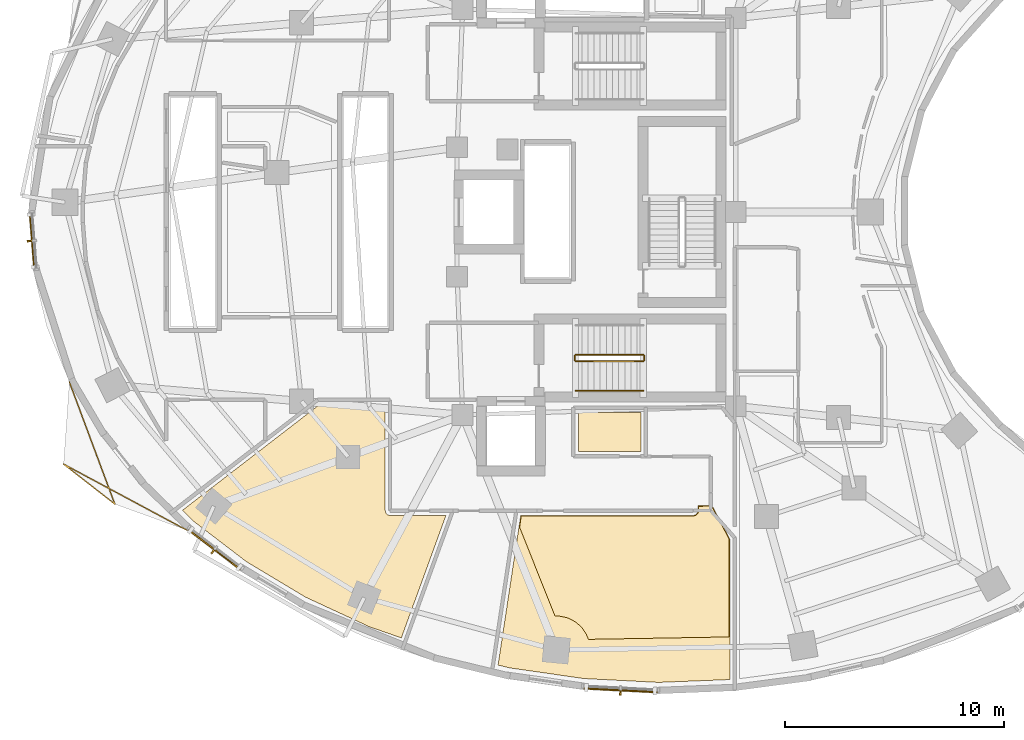
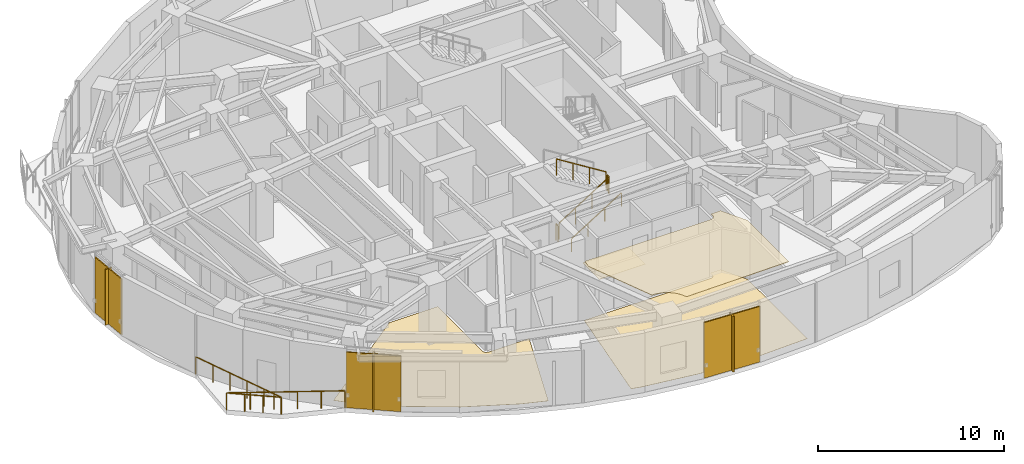
# One storey, part 13 of 15: 6 railings, 6 shading devices, 4 coverings.
"""IFC4 building model written with IfcOpenShell, lengths in metres."""

import ifcopenshell
import ifcopenshell.guid

model = None  # the IFC model being written
_history = None  # IfcOwnerHistory: only IFC2X3 demands one
_inside = {}  # id of a spatial element -> (the spatial element, [elements in it])
_under = {}  # id of a project, library or spatial element -> (it, [spatial elements below it])
_declared = {}  # id of a project -> (the project, [libraries it declares])
_typed = {}  # id of a type object -> (the type object, [elements of that type])
_made_of = {}  # id of a material, layer set ... -> (it, [elements and type objects made of it])


def new_model(schema):
    """Start an empty IFC model of exactly this schema.

    Asked for "IFC4X3", IfcOpenShell would pick the latest addendum, in which some entities
    have other attributes; the version numbers below select the first issue.
    IFC2X3 requires an IfcOwnerHistory on every rooted entity: one is made here for all.
    """
    global model, _history
    if schema == "IFC4X3":
        model = ifcopenshell.file(schema_version=(4, 3, 0, 0))
    else:
        model = ifcopenshell.file(schema=schema)
    _inside.clear()
    _under.clear()
    _declared.clear()
    _typed.clear()
    _made_of.clear()
    _history = None
    if model.schema == "IFC2X3":
        org = make("IfcOrganization", Name="unknown")
        user = make(
            "IfcPersonAndOrganization",
            ThePerson=make("IfcPerson", FamilyName="unknown"),
            TheOrganization=org,
        )
        app = make(
            "IfcApplication",
            ApplicationDeveloper=org,
            Version="unknown",
            ApplicationFullName="unknown",
            ApplicationIdentifier="unknown",
        )
        _history = make(
            "IfcOwnerHistory",
            OwningUser=user,
            OwningApplication=app,
            ChangeAction="ADDED",
            CreationDate=0,
        )
    return model


def make(cls, **values):
    """One entity of the class cls with the attributes given. An attribute that is None is left unset."""
    return model.create_entity(
        cls, **{name: value for name, value in values.items() if value is not None}
    )


def rooted(cls, **values):
    """An entity with a GlobalId (a new one), such as an element, a storey or a relation."""
    return make(cls, GlobalId=ifcopenshell.guid.new(), OwnerHistory=_history, **values)


def si_unit(unit_type, name, prefix=None):
    """IfcSIUnit, for example si_unit("LENGTHUNIT", "METRE", prefix="MILLI")."""
    return make("IfcSIUnit", UnitType=unit_type, Prefix=prefix, Name=name)


def assignment(units):
    """IfcUnitAssignment: the units of a project."""
    return None if units is None else make("IfcUnitAssignment", Units=units)


def point(xyz):
    """IfcCartesianPoint."""
    return None if xyz is None else make("IfcCartesianPoint", Coordinates=xyz)


def direction(xyz):
    """IfcDirection."""
    return None if xyz is None else make("IfcDirection", DirectionRatios=xyz)


def frame(location, z_axis=None, x_axis=None):
    """IfcAxis2Placement3D, a coordinate frame: its origin and axes. An axis left out is left unset."""
    return make(
        "IfcAxis2Placement3D",
        Location=point(location),
        Axis=direction(z_axis),
        RefDirection=direction(x_axis),
    )


def frame_2d(location, x_axis=None):
    """IfcAxis2Placement2D, a coordinate frame in the plane: its origin and x axis."""
    return make(
        "IfcAxis2Placement2D", Location=point(location), RefDirection=direction(x_axis)
    )


def origin():
    """The frame at (0, 0, 0) with its axes left unset."""
    return frame((0.0, 0.0, 0.0))


def origin_2d():
    """The frame at (0, 0) in the plane with its x axis left unset."""
    return frame_2d((0.0, 0.0))


def place(relative_to, where):
    """IfcLocalPlacement: puts the frame where relative to a parent placement (None: the world)."""
    return make(
        "IfcLocalPlacement", PlacementRelTo=relative_to, RelativePlacement=where
    )


def context(
    kind, dimensions, precision=None, world=None, true_north=None, identifier=None
):
    """IfcGeometricRepresentationContext, for example the 3D "Model" context."""
    return make(
        "IfcGeometricRepresentationContext",
        ContextIdentifier=identifier,
        ContextType=kind,
        CoordinateSpaceDimension=dimensions,
        Precision=precision,
        WorldCoordinateSystem=world,
        TrueNorth=true_north,
    )


def subcontext(parent, identifier, kind, view, scale=None):
    """IfcGeometricRepresentationSubContext, for example "Body" below "Model"."""
    return make(
        "IfcGeometricRepresentationSubContext",
        ContextIdentifier=identifier,
        ContextType=kind,
        ParentContext=parent,
        TargetScale=scale,
        TargetView=view,
    )


def project(units=None, contexts=None):
    """IfcProject with its units and contexts."""
    return rooted(
        "IfcProject",
        Name="project",
        RepresentationContexts=contexts,
        UnitsInContext=assignment(units),
    )


def spatial(cls, under=None, at=None, **own):
    """A site, building, storey or space (cls), placed at a placement, below another one or the project."""
    s = rooted(cls, ObjectPlacement=at, **own)
    if under is not None:
        _under.setdefault(under.id(), (under, []))[1].append(s)
    return s


def polyline(points):
    """IfcPolyline through the points."""
    return make("IfcPolyline", Points=[point(p) for p in points])


def profile(cls, at=None, kind="AREA", **sizes):
    """A parametric profile (cls). Its sizes go by their IFC names, for example OverallWidth=200.0."""
    return make(cls, ProfileType=kind, Position=at, **sizes)


def rectangle(**sizes):
    """IfcRectangleProfileDef."""
    return profile("IfcRectangleProfileDef", **sizes)


def outline(outer, holes=None, kind="AREA"):
    """IfcArbitraryClosedProfileDef: a profile drawn as a closed curve; with holes, ...WithVoids."""
    if holes is None:
        return make("IfcArbitraryClosedProfileDef", ProfileType=kind, OuterCurve=outer)
    return make(
        "IfcArbitraryProfileDefWithVoids",
        ProfileType=kind,
        OuterCurve=outer,
        InnerCurves=holes,
    )


def extrude(swept, where, along, depth):
    """IfcExtrudedAreaSolid: the profile swept, set in the frame where, extruded along a direction by depth."""
    return make(
        "IfcExtrudedAreaSolid",
        SweptArea=swept,
        Position=where,
        ExtrudedDirection=direction(along),
        Depth=depth,
    )


def shape(context_of_items, identifier, shape_type, items):
    """IfcShapeRepresentation: the items that make up one representation, for example the "Body"."""
    return make(
        "IfcShapeRepresentation",
        ContextOfItems=context_of_items,
        RepresentationIdentifier=identifier,
        RepresentationType=shape_type,
        Items=items,
    )


def material(Name=None, Category=None):
    """IfcMaterial."""
    return make("IfcMaterial", Name=Name, Category=Category)


def layer(
    of_material, thickness, ventilated=None, Name=None, Category=None, Priority=None
):
    """IfcMaterialLayer: one layer of a wall or slab, of a material (None: an air gap)."""
    return make(
        "IfcMaterialLayer",
        Material=of_material,
        LayerThickness=thickness,
        IsVentilated=ventilated,
        Name=Name,
        Category=Category,
        Priority=Priority,
    )


def layer_set(layers, Name=None):
    """IfcMaterialLayerSet."""
    return make("IfcMaterialLayerSet", MaterialLayers=layers, LayerSetName=Name)


def made_of(thing, what):
    """Note that an element or type object is made of a material, layer set ...; save() writes the relation."""
    if what is not None:
        _made_of.setdefault(what.id(), (what, []))[1].append(thing)
    return thing


def type_object(cls, material=None, **own):
    """A type object (cls), such as IfcWallType, which elements share."""
    return made_of(rooted(cls, **own), material)


def element(
    cls,
    number,
    at=None,
    inside=None,
    cuts=None,
    type_object=None,
    material=None,
    context=None,
    identifier="Body",
    shape_type=None,
    held_by="IfcProductDefinitionShape",
    body=None,
    shapes=None,
    **own,
):
    """One element of the class cls, such as IfcWall. Its Tag is "e" and its number.

    at: its placement. inside: the storey or other place that contains it. cuts: it is an
    opening in that element (IfcRelVoidsElement). A single representation is given by context,
    identifier, shape_type and body (its items); several are given by shapes. held_by: the class
    of the entity that holds the representations. save() writes the other relations.
    """
    e = rooted(cls, Tag="e%d" % number, ObjectPlacement=at, **own)
    if body is not None:
        shapes = [shape(context, identifier, shape_type, body)]
    if shapes is not None:
        e.Representation = make(held_by, Representations=shapes)
    if inside is not None:
        _inside.setdefault(inside.id(), (inside, []))[1].append(e)
    if cuts is not None:
        rooted(
            "IfcRelVoidsElement", RelatingBuildingElement=cuts, RelatedOpeningElement=e
        )
    if type_object is not None:
        _typed.setdefault(type_object.id(), (type_object, []))[1].append(e)
    return made_of(e, material)


def aggregate(whole, parts):
    """IfcRelAggregates: a whole, such as a stair, and the parts it consists of."""
    return rooted("IfcRelAggregates", RelatingObject=whole, RelatedObjects=parts)


def save(model, path):
    """Write the relations noted so far, then the file.

    IfcRelAggregates (storeys below a building ...), IfcRelContainedInSpatialStructure (elements
    in a storey), IfcRelDefinesByType, IfcRelAssociatesMaterial and IfcRelDeclares: one each for
    every whole, place, type object, material and project.
    """
    for whole, parts in _under.values():
        aggregate(whole, parts)
    for where, things in _inside.values():
        rooted(
            "IfcRelContainedInSpatialStructure",
            RelatedElements=things,
            RelatingStructure=where,
        )
    for kind, things in _typed.values():
        rooted("IfcRelDefinesByType", RelatedObjects=things, RelatingType=kind)
    for what, things in _made_of.values():
        rooted("IfcRelAssociatesMaterial", RelatedObjects=things, RelatingMaterial=what)
    for by, libraries in _declared.values():
        rooted("IfcRelDeclares", RelatingContext=by, RelatedDefinitions=libraries)
    model.write(path)


model = new_model("IFC4")

# Units and contexts
model_context = context("Model", 3, precision=1e-05, world=origin(), true_north=direction((0.0, 1.0)))
body_context = subcontext(model_context, "Body", "Model", "MODEL_VIEW")
ifc_project = project(units=[si_unit("LENGTHUNIT", "METRE"), si_unit("AREAUNIT", "SQUARE_METRE"), si_unit("VOLUMEUNIT", "CUBIC_METRE"), si_unit("PLANEANGLEUNIT", "RADIAN"), si_unit("MASSUNIT", "GRAM", prefix="KILO")], contexts=[model_context])

# Site, building, storey
site_placement = place(None, origin())
site = spatial("IfcSite", under=ifc_project, at=site_placement, CompositionType="ELEMENT")
building_placement = place(site_placement, origin())
building = spatial("IfcBuilding", under=site, at=building_placement, Name="Korentha Bioscience Tower", CompositionType="ELEMENT")
storey_placement = place(building_placement, frame((0.0, 0.0, 115.199951171875)))
storey = spatial("IfcBuildingStorey", under=building, at=storey_placement, Name="L26", CompositionType="ELEMENT", Elevation=115.199951171875)

# Railings
ifc_material_1 = material(Name="Stainless Steel 304", Category="steel")
railing_type_1 = type_object("IfcRailingType", Name="Brushed Stainless Stair Handrail 900", PredefinedType="HANDRAIL", material=ifc_material_1)
railing_1_placement = place(storey_placement, frame((30.25, 18.85009765625, 0.175048828125)))
element("IfcRailing", 1, at=railing_1_placement, inside=storey, type_object=railing_type_1, Name="L26 ST-2 stair handrail 1", PredefinedType="HANDRAIL", context=body_context, shape_type="SweptSolid", body=[
    extrude(rectangle(XDim=0.048095703125, YDim=0.048095703125, at=origin_2d()), frame((0.0, 0.0, 0.8759765625), z_axis=(0.847998304005, 0.0, 0.529998940003), x_axis=(0.0, 1.0, 0.0)), (0.0, 0.0, 1.0), 3.632080078125),
    extrude(rectangle(XDim=0.0419921875, YDim=0.0419921875, at=origin_2d()), origin(), (0.0, 0.0, 1.0), 0.851806640625),
    extrude(rectangle(XDim=0.0419921875, YDim=0.0419921875, at=origin_2d()), frame((1.026611328125, 0.0, 0.6416015625)), (0.0, 0.0, 1.0), 0.851806640625),
    extrude(rectangle(XDim=0.0419921875, YDim=0.0419921875, at=origin_2d()), frame((2.053466796875, 0.0, 1.283447265625)), (0.0, 0.0, 1.0), 0.851806640625),
    extrude(rectangle(XDim=0.0419921875, YDim=0.0419921875, at=origin_2d()), frame((3.080078125, 0.0, 1.925048828125)), (0.0, 0.0, 1.0), 0.851806640625),
])
ifc_material_2 = material(Name="Laminated Tempered Safety Glass", Category="glass")
railing_type_2 = type_object("IfcRailingType", Name="Laminated Glass Balcony Guardrail 1150", PredefinedType="BALUSTRADE", material=ifc_material_2)
railing_2_placement = place(storey_placement, frame((7.17626953125, 19.25390625, 0.0)))
element("IfcRailing", 2, at=railing_2_placement, inside=storey, type_object=railing_type_2, Name="L26 Balcony Guardrail 03", PredefinedType="BALUSTRADE", context=body_context, shape_type="SweptSolid", body=[
    extrude(rectangle(XDim=0.048095703125, YDim=0.048095703125, at=origin_2d()), frame((0.0, 0.0, 1.1259765625), z_axis=(0.349155006041, -0.937064982675, 0.0), x_axis=(0.937064982675, 0.349155006041, 0.0)), (0.0, 0.0, 1.0), 5.942138671875),
    extrude(rectangle(XDim=0.048095703125, YDim=0.048095703125, at=origin_2d()), frame((2.07470703125, -5.568115234375, 1.1259765625), z_axis=(-0.78833232716, 0.615249658231, 0.0), x_axis=(-0.615249658231, -0.78833232716, 0.0)), (0.0, 0.0, 1.0), 2.9677734375),
    extrude(rectangle(XDim=0.048095703125, YDim=0.048095703125, at=origin_2d()), frame((-0.264892578125, -3.7421875, 1.1259765625), z_axis=(0.881422384885, -0.472328889042, 0.0), x_axis=(0.472328889042, 0.881422384885, 0.0)), (0.0, 0.0, 1.0), 6.366455078125),
    extrude(rectangle(XDim=0.0419921875, YDim=0.0419921875, at=origin_2d()), origin(), (0.0, 0.0, 1.0), 1.101806640625),
    extrude(rectangle(XDim=0.0419921875, YDim=0.0419921875, at=origin_2d()), frame((0.4150390625, -1.113525390625, 0.0)), (0.0, 0.0, 1.0), 1.101806640625),
    extrude(rectangle(XDim=0.0419921875, YDim=0.0419921875, at=origin_2d()), frame((0.829833984375, -2.227294921875, 0.0)), (0.0, 0.0, 1.0), 1.101806640625),
    extrude(rectangle(XDim=0.0419921875, YDim=0.0419921875, at=origin_2d()), frame((1.244873046875, -3.3408203125, 0.0)), (0.0, 0.0, 1.0), 1.101806640625),
    extrude(rectangle(XDim=0.0419921875, YDim=0.0419921875, at=origin_2d()), frame((1.65966796875, -4.45458984375, 0.0)), (0.0, 0.0, 1.0), 1.101806640625),
    extrude(rectangle(XDim=0.0419921875, YDim=0.0419921875, at=origin_2d()), frame((2.07470703125, -5.568115234375, 0.0)), (0.0, 0.0, 1.0), 1.101806640625),
    extrude(rectangle(XDim=0.0419921875, YDim=0.0419921875, at=origin_2d()), frame((1.294921875, -4.95947265625, 0.0)), (0.0, 0.0, 1.0), 1.101806640625),
    extrude(rectangle(XDim=0.0419921875, YDim=0.0419921875, at=origin_2d()), frame((0.514892578125, -4.350830078125, 0.0)), (0.0, 0.0, 1.0), 1.101806640625),
    extrude(rectangle(XDim=0.0419921875, YDim=0.0419921875, at=origin_2d()), frame((-0.264892578125, -3.7421875, 0.0)), (0.0, 0.0, 1.0), 1.101806640625),
    extrude(rectangle(XDim=0.0419921875, YDim=0.0419921875, at=origin_2d()), frame((0.857421875, -4.343505859375, 0.0)), (0.0, 0.0, 1.0), 1.101806640625),
    extrude(rectangle(XDim=0.0419921875, YDim=0.0419921875, at=origin_2d()), frame((1.979736328125, -4.945068359375, 0.0)), (0.0, 0.0, 1.0), 1.101806640625),
    extrude(rectangle(XDim=0.0419921875, YDim=0.0419921875, at=origin_2d()), frame((3.10205078125, -5.54638671875, 0.0)), (0.0, 0.0, 1.0), 1.101806640625),
    extrude(rectangle(XDim=0.0419921875, YDim=0.0419921875, at=origin_2d()), frame((4.224365234375, -6.14794921875, 0.0)), (0.0, 0.0, 1.0), 1.101806640625),
    extrude(rectangle(XDim=0.0419921875, YDim=0.0419921875, at=origin_2d()), frame((5.3466796875, -6.749267578125, 0.0)), (0.0, 0.0, 1.0), 1.101806640625),
])

# Covering
ifc_material_3 = material(Name="Antimicrobial Mineral Fibre Board", Category="gypsum")
ifc_layer_1 = layer(ifc_material_3, 0.034912109375, Name="Antimicrobial Mineral Fibre Board")
ifc_layer_set_1 = layer_set([ifc_layer_1], Name="Antimicrobial Mineral Fibre Board (CL-MF35)")
covering_type_1 = type_object("IfcCoveringType", Name="Mineral-Fibre Cleanroom Suspended Ceiling 35", PredefinedType="CEILING", material=ifc_layer_set_1)
covering_1_placement = place(storey_placement, frame((0.0, 0.0, 3.864990234375)))
element("IfcCovering", 3, at=covering_1_placement, inside=storey, type_object=covering_type_1, Name="L26 Fluorescence Confocal Microscopy Room 05 Acoustic Ceiling", PredefinedType="CEILING", context=body_context, shape_type="SweptSolid", body=[
    extrude(outline(polyline([(35.60009765625, 13.139892578125), (35.733154296875, 13.1767578125), (35.8232421875, 13.266845703125), (35.857177734375, 13.3623046875), (35.860107421875, 13.590087890625), (36.44970703125, 13.59521484375), (37.248046875, 12.093994140625), (37.248046875, 7.63623046875), (30.835205078125, 7.525146484375), (30.731201171875, 7.771484375), (30.5625, 8.02392578125), (30.460205078125, 8.13671875), (30.225341796875, 8.32958984375), (29.95751953125, 8.47265625), (29.814208984375, 8.52392578125), (29.51611328125, 8.583251953125), (29.307861328125, 8.587890625), (27.6962890625, 12.635498046875), (27.772216796875, 13.138916015625), (35.60009765625, 13.139892578125)])), origin(), (0.0, 0.0, 1.0), 0.03515625),
])

# Railings
ifc_material_4 = material(Name="Painted Steel S275", Category="steel")
railing_type_3 = type_object("IfcRailingType", Name="Painted Steel Stair Well Guardrail 1100", PredefinedType="GUARDRAIL", material=ifc_material_4)
railing_3_placement = place(storey_placement, frame((30.25, 20.199951171875, 0.175048828125)))
element("IfcRailing", 4, at=railing_3_placement, inside=storey, type_object=railing_type_3, Name="L26 ST-2 stair guard 1", PredefinedType="GUARDRAIL", context=body_context, shape_type="SweptSolid", body=[
    extrude(rectangle(XDim=0.048095703125, YDim=0.048095703125, at=origin_2d()), frame((0.0, 0.0, 1.076171875), z_axis=(0.847998304005, 0.0, 0.529998940003), x_axis=(0.0, 1.0, 0.0)), (0.0, 0.0, 1.0), 3.632080078125),
    extrude(rectangle(XDim=0.0419921875, YDim=0.0419921875, at=origin_2d()), origin(), (0.0, 0.0, 1.0), 1.052001953125),
    extrude(rectangle(XDim=0.0419921875, YDim=0.0419921875, at=origin_2d()), frame((1.026611328125, 0.0, 0.6416015625)), (0.0, 0.0, 1.0), 1.052001953125),
    extrude(rectangle(XDim=0.0419921875, YDim=0.0419921875, at=origin_2d()), frame((2.053466796875, 0.0, 1.283447265625)), (0.0, 0.0, 1.0), 1.052001953125),
    extrude(rectangle(XDim=0.0419921875, YDim=0.0419921875, at=origin_2d()), frame((3.080078125, 0.0, 1.925048828125)), (0.0, 0.0, 1.0), 1.052001953125),
])
railing_4_placement = place(storey_placement, frame((33.3798828125, 20.25, 2.10009765625)))
element("IfcRailing", 5, at=railing_4_placement, inside=storey, type_object=railing_type_3, Name="L26 ST-2 stair guard 2", PredefinedType="GUARDRAIL", context=body_context, shape_type="SweptSolid", body=[
    extrude(rectangle(XDim=0.048095703125, YDim=0.048095703125, at=origin_2d()), frame((0.0, 0.0, 1.076171875), z_axis=(0.0, 1.0, 0.0), x_axis=(-1.0, 0.0, 0.0)), (0.0, 0.0, 1.0), 0.199951171875),
    extrude(rectangle(XDim=0.0419921875, YDim=0.0419921875, at=origin_2d()), origin(), (0.0, 0.0, 1.0), 1.052001953125),
    extrude(rectangle(XDim=0.0419921875, YDim=0.0419921875, at=origin_2d()), frame((0.0, 0.199951171875, 0.0)), (0.0, 0.0, 1.0), 1.052001953125),
])
railing_5_placement = place(storey_placement, frame((33.330078125, 20.5, 2.275146484375)))
element("IfcRailing", 6, at=railing_5_placement, inside=storey, type_object=railing_type_3, Name="L26 ST-2 stair guard 3", PredefinedType="GUARDRAIL", context=body_context, shape_type="SweptSolid", body=[
    extrude(rectangle(XDim=0.048095703125, YDim=0.048095703125, at=origin_2d()), frame((0.0, 0.0, 1.076171875), z_axis=(-0.848028513186, 0.0, 0.529950602248), x_axis=(0.0, -1.0, 0.0)), (0.0, 0.0, 1.0), 3.632080078125),
    extrude(rectangle(XDim=0.0419921875, YDim=0.0419921875, at=origin_2d()), origin(), (0.0, 0.0, 1.0), 1.052001953125),
    extrude(rectangle(XDim=0.0419921875, YDim=0.0419921875, at=origin_2d()), frame((-1.026611328125, 0.0, 0.6416015625)), (0.0, 0.0, 1.0), 1.052001953125),
    extrude(rectangle(XDim=0.0419921875, YDim=0.0419921875, at=origin_2d()), frame((-2.053466796875, 0.0, 1.283203125)), (0.0, 0.0, 1.0), 1.052001953125),
    extrude(rectangle(XDim=0.0419921875, YDim=0.0419921875, at=origin_2d()), frame((-3.080078125, 0.0, 1.9248046875)), (0.0, 0.0, 1.0), 1.052001953125),
])
railing_6_placement = place(storey_placement, frame((30.199951171875, 20.25, 0.0)))
element("IfcRailing", 7, at=railing_6_placement, inside=storey, type_object=railing_type_3, Name="L26 ST-2 stair guard 4", PredefinedType="GUARDRAIL", context=body_context, shape_type="SweptSolid", body=[
    extrude(rectangle(XDim=0.048095703125, YDim=0.048095703125, at=origin_2d()), frame((0.0, 0.0, 1.076171875), z_axis=(0.0, 1.0, 0.0), x_axis=(-1.0, 0.0, 0.0)), (0.0, 0.0, 1.0), 0.199951171875),
    extrude(rectangle(XDim=0.0419921875, YDim=0.0419921875, at=origin_2d()), origin(), (0.0, 0.0, 1.0), 1.052001953125),
    extrude(rectangle(XDim=0.0419921875, YDim=0.0419921875, at=origin_2d()), frame((0.0, 0.199951171875, 0.0)), (0.0, 0.0, 1.0), 1.052001953125),
])

# Shading devices
ifc_material_5 = material(Name="Perforated Stone-Ceramic Composite", Category="masonry")
ifc_layer_2 = layer(ifc_material_5, 0.06494140625, Name="Perforated Stone-Ceramic Composite")
ifc_layer_set_2 = layer_set([ifc_layer_2], Name="Perforated Stone-Ceramic Composite (CS-01)")
shading_device_type_1 = type_object("IfcShadingDeviceType", Name="Perforated Stone-Ceramic Solar Screen Panel 65", PredefinedType="USERDEFINED", material=ifc_layer_set_2)
shading_device_1_placement = place(storey_placement, frame((5.478271484375, 25.6884765625, 0.0), z_axis=(0.0, 0.0, 1.0), x_axis=(0.079130214674, -0.996864288219, 0.0)))
element("IfcShadingDevice", 8, at=shading_device_1_placement, inside=storey, type_object=shading_device_type_1, Name="CW-L26-19 Perforated Stone-Ceramic Solar Screen", ObjectType="SCREEN", PredefinedType="USERDEFINED", context=body_context, shape_type="SweptSolid", body=[
    extrude(rectangle(XDim=2.540771484375, YDim=0.06494140625, at=origin_2d()), origin(), (0.0, 0.0, 1.0), 3.64990234375),
])
shading_device_2_placement = place(storey_placement, frame((13.7841796875, 11.616455078125, 0.0), z_axis=(0.0, 0.0, 1.0), x_axis=(0.794499603893, -0.607264669986, 0.0)))
element("IfcShadingDevice", 9, at=shading_device_2_placement, inside=storey, type_object=shading_device_type_1, Name="CW-L26-25 Perforated Stone-Ceramic Solar Screen", ObjectType="SCREEN", PredefinedType="USERDEFINED", context=body_context, shape_type="SweptSolid", body=[
    extrude(rectangle(XDim=2.98291015625, YDim=0.06494140625, at=origin_2d()), origin(), (0.0, 0.0, 1.0), 3.64990234375),
])
shading_device_3_placement = place(storey_placement, frame((32.2958984375, 5.201904296875, 0.0), z_axis=(0.0, 0.0, 1.0), x_axis=(0.998673231344, -0.051495407527, 0.0)))
element("IfcShadingDevice", 10, at=shading_device_3_placement, inside=storey, type_object=shading_device_type_1, Name="CW-L26-31 Perforated Stone-Ceramic Solar Screen", ObjectType="SCREEN", PredefinedType="USERDEFINED", context=body_context, shape_type="SweptSolid", body=[
    extrude(rectangle(XDim=3.373779296875, YDim=0.06494140625, at=origin_2d()), origin(), (0.0, 0.0, 1.0), 3.64990234375),
])

# Coverings
ifc_material_6 = material(Name="Chemical-Resistant Epoxy Resin", Category="polymer")
ifc_layer_3 = layer(ifc_material_6, 0.011962890625, Name="Chemical-Resistant Epoxy Resin")
ifc_layer_set_3 = layer_set([ifc_layer_3], Name="Chemical-Resistant Epoxy Resin (FL-EPX)")
covering_type_2 = type_object("IfcCoveringType", Name="Seamless Epoxy Laboratory Flooring 12", PredefinedType="FLOORING", material=ifc_layer_set_3)
covering_2_placement = place(storey_placement, origin())
element("IfcCovering", 11, at=covering_2_placement, inside=storey, type_object=covering_type_2, Name="L26 Core Instrumentation and Gas Store Floor Finish", PredefinedType="FLOORING", context=body_context, shape_type="SweptSolid", body=[
    extrude(outline(polyline([(30.3701171875, 16.080078125), (30.3701171875, 17.8701171875), (33.22998046875, 17.8701171875), (33.22998046875, 16.080078125), (30.3701171875, 16.080078125)])), origin(), (0.0, 0.0, 1.0), 0.011962890625),
])
covering_3_placement = place(storey_placement, origin())
element("IfcCovering", 12, at=covering_3_placement, inside=storey, type_object=covering_type_2, Name="L26 Biomechanical Motion Analysis Lab 03 Floor Finish", PredefinedType="FLOORING", context=body_context, shape_type="SweptSolid", body=[
    extrude(outline(polyline([(17.93896484375, 9.447998046875), (15.25927734375, 11.05517578125), (12.857177734375, 12.89111328125), (12.3291015625, 13.406005859375), (18.570556640625, 18.219970703125), (21.570068359375, 18.219970703125), (21.570068359375, 13.39990234375), (21.6025390625, 13.2822265625), (21.68212890625, 13.202392578125), (21.789306640625, 13.17041015625), (24.337646484375, 13.169921875), (22.3076171875, 7.59228515625), (20.85791015625, 8.094482421875), (17.93896484375, 9.447998046875)])), origin(), (0.0, 0.0, 1.0), 0.011962890625),
])
covering_4_placement = place(storey_placement, origin())
element("IfcCovering", 13, at=covering_4_placement, inside=storey, type_object=covering_type_2, Name="L26 Fluorescence Confocal Microscopy Room 05 Floor Finish", PredefinedType="FLOORING", context=body_context, shape_type="SweptSolid", body=[
    extrude(outline(polyline([(27.74658203125, 13.168701171875), (35.61181640625, 13.17041015625), (35.71875, 13.202880859375), (35.8076171875, 13.30126953125), (35.82958984375, 13.38818359375), (35.830078125, 13.6201171875), (36.46533203125, 13.6298828125), (37.278076171875, 12.101318359375), (37.278076171875, 5.6923828125), (34.030517578125, 5.563232421875), (30.60791015625, 5.739501953125), (27.239013671875, 6.22607421875), (26.715576171875, 6.3525390625), (27.74658203125, 13.168701171875)])), origin(), (0.0, 0.0, 1.0), 0.011962890625),
])

# Shading devices
ifc_material_7 = material(Name="Honed Travertine Limestone", Category="masonry")
ifc_layer_4 = layer(ifc_material_7, 0.080078125, Name="Honed Travertine Limestone")
ifc_layer_set_4 = layer_set([ifc_layer_4], Name="Honed Travertine Limestone (CS-02)")
shading_device_type_2 = type_object("IfcShadingDeviceType", Name="Vertical Honed Limestone Sunshade Fin 80x420", PredefinedType="USERDEFINED", material=ifc_layer_set_4)
for number, where, z_axis, x_axis, name in (
    (14, (5.458251953125, 25.68701171875, 0.0), (0.0, 0.0, 1.0), (0.079130214674, -0.996864288219, 0.0), "CW-L26-19 Limestone Sunshade Fin"),
    (15, (13.77197265625, 11.600341796875, 0.0), (0.0, 0.0, 1.0), (0.794499603893, -0.607264669986, 0.0), "CW-L26-25 Limestone Sunshade Fin"),
    (16, (32.294921875, 5.18212890625, 0.0), (0.0, 0.0, 1.0), (0.998673231344, -0.051495407527, 0.0), "CW-L26-31 Limestone Sunshade Fin"),
):
    element("IfcShadingDevice", number, at=place(storey_placement, frame(where, z_axis=z_axis, x_axis=x_axis)), inside=storey, type_object=shading_device_type_2, Name=name, ObjectType="SCREEN", PredefinedType="USERDEFINED", context=body_context, shape_type="SweptSolid", body=[
        extrude(rectangle(XDim=0.080078125, YDim=0.419921875, at=origin_2d()), origin(), (0.0, 0.0, 1.0), 3.64990234375),
    ])

save(model, "model.ifc")
